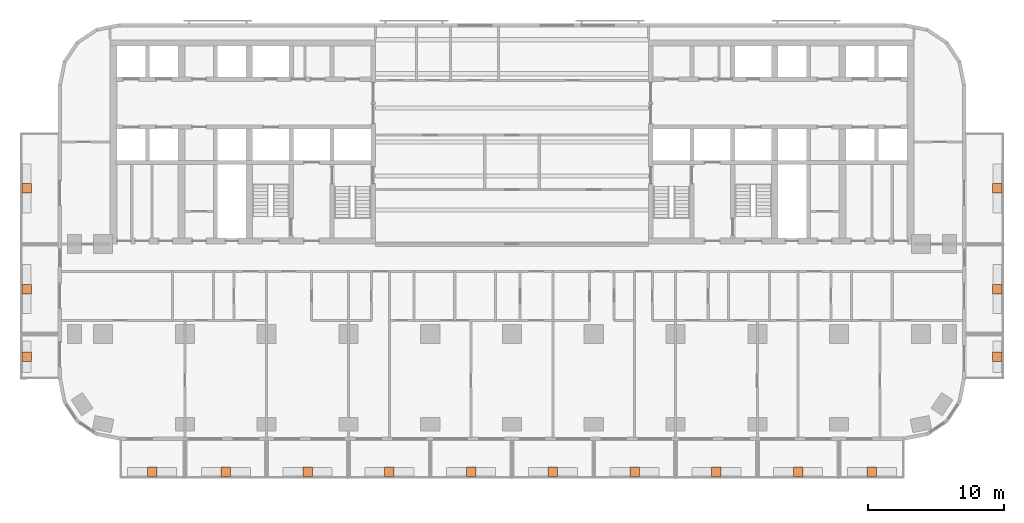
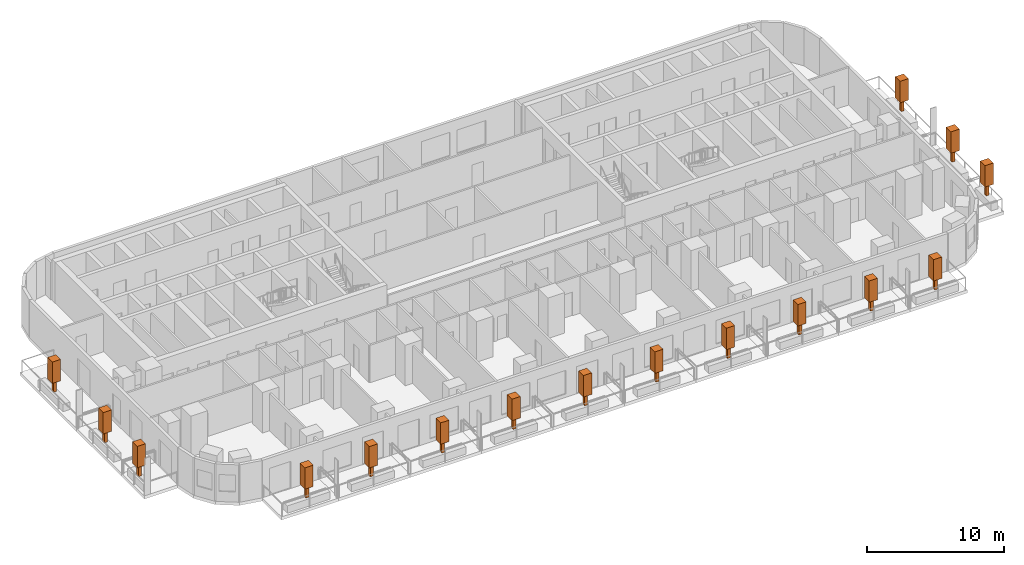
# One storey, part 15 of 15: 16 geographic elements.
"""IFC4 building model written with IfcOpenShell, lengths in metres."""

from ifc_helpers import new_model, si_unit, direction, frame, origin, origin_2d, place, context, subcontext, project, spatial, rectangle, extrude, material, element, save


model = new_model("IFC4")

# Units and contexts
model_context = context("Model", 3, precision=1e-05, world=origin(), true_north=direction((0.0, 1.0)))
body_context = subcontext(model_context, "Body", "Model", "MODEL_VIEW")
ifc_project = project(units=[si_unit("LENGTHUNIT", "METRE"), si_unit("AREAUNIT", "SQUARE_METRE"), si_unit("VOLUMEUNIT", "CUBIC_METRE"), si_unit("PLANEANGLEUNIT", "RADIAN"), si_unit("MASSUNIT", "GRAM", prefix="KILO")], contexts=[model_context])

# Site, building, storey
site_placement = place(None, origin())
site = spatial("IfcSite", under=ifc_project, at=site_placement, CompositionType="ELEMENT")
building_placement = place(site_placement, origin())
building = spatial("IfcBuilding", under=site, at=building_placement, Name="Torana Hotel and Residences", CompositionType="ELEMENT")
storey_placement = place(building_placement, frame((0.0, 0.0, 88.800048828125)))
storey = spatial("IfcBuildingStorey", under=building, at=storey_placement, Name="L22", CompositionType="ELEMENT", Elevation=88.800048828125)

# Geographic elements
ifc_material = material(Name="Foliage", Category="planting")
for number, where, z_axis, x_axis, name in (
    (1, (-26.39990234375, -31.699951171875, 0.64990234375), (0.0, 0.0, 1.0), (1.0, 0.0, 0.0), "Tree 01"),
    (2, (-21.0, -31.699951171875, 0.64990234375), (0.0, 0.0, 1.0), (1.0, 0.0, 0.0), "Tree 02"),
    (3, (-15.0, -31.699951171875, 0.64990234375), (0.0, 0.0, 1.0), (1.0, 0.0, 0.0), "Tree 03"),
    (4, (-9.0, -31.699951171875, 0.64990234375), (0.0, 0.0, 1.0), (1.0, 0.0, 0.0), "Tree 04"),
    (5, (-3.0, -31.699951171875, 0.64990234375), (0.0, 0.0, 1.0), (1.0, 0.0, 0.0), "Tree 05"),
    (6, (3.0, -31.699951171875, 0.64990234375), (0.0, 0.0, 1.0), (1.0, 0.0, 0.0), "Tree 06"),
    (7, (9.0, -31.699951171875, 0.64990234375), (0.0, 0.0, 1.0), (1.0, 0.0, 0.0), "Tree 07"),
    (8, (15.0, -31.699951171875, 0.64990234375), (0.0, 0.0, 1.0), (1.0, 0.0, 0.0), "Tree 08"),
    (9, (21.0, -31.699951171875, 0.64990234375), (0.0, 0.0, 1.0), (1.0, 0.0, 0.0), "Tree 09"),
    (10, (26.39990234375, -31.699951171875, 0.64990234375), (0.0, 0.0, 1.0), (1.0, 0.0, 0.0), "Tree 10"),
    (11, (-35.60009765625, -23.25, 0.64990234375), (0.0, 0.0, 1.0), (1.0, 0.0, 0.0), "Tree 11"),
    (12, (-35.60009765625, -18.300048828125, 0.64990234375), (0.0, 0.0, 1.0), (1.0, 0.0, 0.0), "Tree 12"),
    (13, (-35.60009765625, -10.89990234375, 0.64990234375), (0.0, 0.0, 1.0), (1.0, 0.0, 0.0), "Tree 13"),
    (14, (35.60009765625, -23.25, 0.64990234375), (0.0, 0.0, 1.0), (1.0, 0.0, 0.0), "Tree 14"),
    (15, (35.60009765625, -18.300048828125, 0.64990234375), (0.0, 0.0, 1.0), (1.0, 0.0, 0.0), "Tree 15"),
    (16, (35.60009765625, -10.89990234375, 0.64990234375), (0.0, 0.0, 1.0), (1.0, 0.0, 0.0), "Tree 16"),
):
    element("IfcGeographicElement", number, at=place(storey_placement, frame(where, z_axis=z_axis, x_axis=x_axis)), inside=storey, material=ifc_material, Name=name, ObjectType="TREE", PredefinedType="USERDEFINED", context=body_context, shape_type="SweptSolid", body=[
        extrude(rectangle(XDim=0.25, YDim=0.25, at=origin_2d()), origin(), (0.0, 0.0, 1.0), 1.0),
        extrude(rectangle(XDim=0.699951171875, YDim=0.699951171875, at=origin_2d()), frame((0.0, 0.0, 1.0)), (0.0, 0.0, 1.0), 1.89990234375),
    ])

save(model, "model.ifc")
